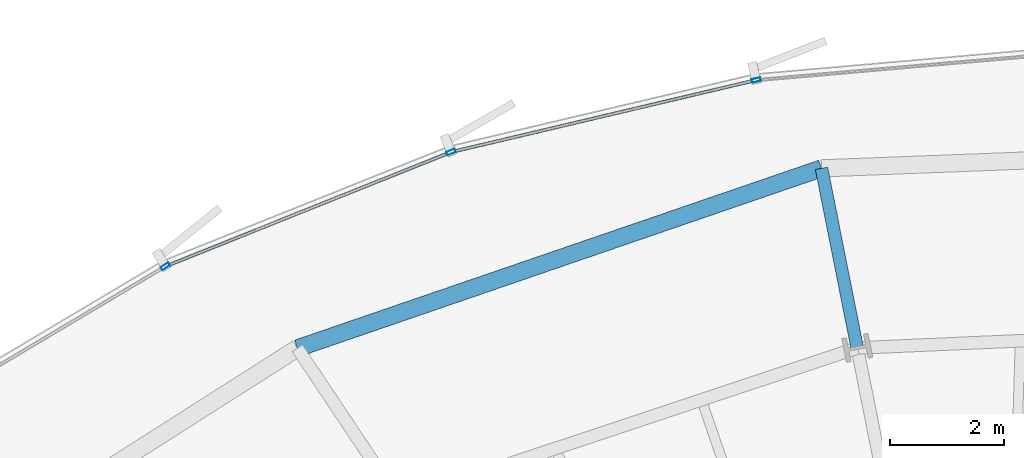
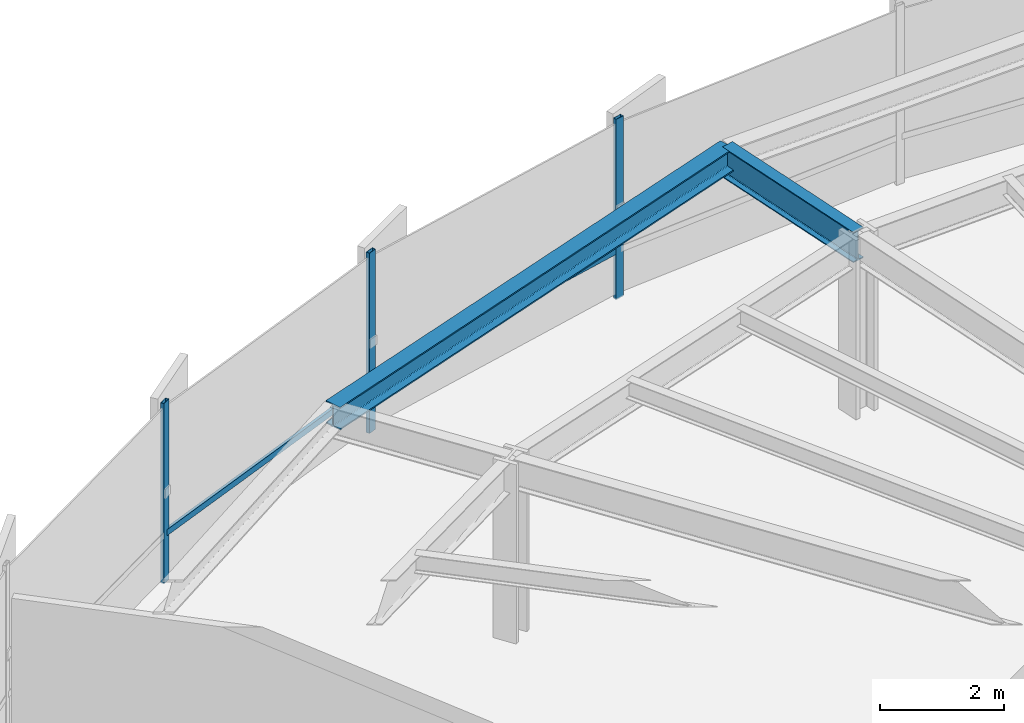
# One storey, part 23 of 39: 5 members, 2 beams, 1 element without a shape of its own.
"""IFC4 building model written with IfcOpenShell, lengths in metres."""

from ifc_helpers import new_model, si_unit, direction, frame, origin, origin_2d, place, context, subcontext, project, spatial, hollow_rectangle, i_section, extrude, source, transform, mapped, material, layer, layer_set, material_profile, profile_set, type_object, element, aggregate, save


model = new_model("IFC4")

# Units and contexts
model_context = context("Model", 3, precision=1e-05, world=origin(), true_north=direction((0.0, 1.0)))
body_context = subcontext(model_context, "Body", "Model", "MODEL_VIEW")
ifc_project = project(units=[si_unit("LENGTHUNIT", "METRE"), si_unit("AREAUNIT", "SQUARE_METRE"), si_unit("VOLUMEUNIT", "CUBIC_METRE"), si_unit("PLANEANGLEUNIT", "RADIAN"), si_unit("MASSUNIT", "GRAM", prefix="KILO"), si_unit("THERMODYNAMICTEMPERATUREUNIT", "KELVIN")], contexts=[model_context])

# Site, building, storey
site_placement = place(None, origin())
site = spatial("IfcSite", under=ifc_project, at=site_placement, CompositionType="ELEMENT")
building_placement = place(site_placement, origin())
building = spatial("IfcBuilding", under=site, at=building_placement, Name="Kethvar Cultural Tower", CompositionType="ELEMENT")
storey_placement = place(building_placement, frame((0.0, 0.0, 33.39990234375)))
storey = spatial("IfcBuildingStorey", under=building, at=storey_placement, Name="L07", CompositionType="ELEMENT", Elevation=33.39990234375)

# Beams
ifc_material_1 = material(Name="Steel S355J2", Category="steel")
ifc_material_profile_1 = material_profile(ifc_material_1, i_section(OverallWidth=0.219970703125, OverallDepth=0.60009765625, WebThickness=0.011962890625, FlangeThickness=0.01904296875, FilletRadius=0.02392578125, at=origin_2d()), Name="Steel S355J2 — IPE600")
ifc_profile_set_1 = profile_set([ifc_material_profile_1], Name="Steel S355J2 — IPE600")
beam_type_1 = type_object("IfcBeamType", Name="BM-IPE600", PredefinedType="BEAM", material=ifc_profile_set_1)
shared_shape_1 = source(origin(), body_context, "Body", "SweptSolid", [
    extrude(i_section(OverallWidth=0.219970703125, OverallDepth=0.60009765625, WebThickness=0.011962890625, FlangeThickness=0.01904296875, FilletRadius=0.02392578125, at=origin_2d()), origin(), (0.0, 0.0, 1.0), 3.199951171875),
])
beam_1_placement = place(storey_placement, frame((42.651611328125, 48.65576171875, 3.248046875), z_axis=(-0.195162356126, 0.980770949178, 0.0), x_axis=(-0.980770949178, -0.195162356126, 0.0)))
element("IfcBeam", 1, at=beam_1_placement, inside=storey, type_object=beam_type_1, Name="L07 Perimeter Cantilever Beam RC-05", PredefinedType="BEAM", context=body_context, shape_type="MappedRepresentation", body=[
    mapped(shared_shape_1, transform((0.0, 0.0, 0.0), scale=1.0)),
])
ifc_material_profile_2 = material_profile(ifc_material_1, i_section(OverallWidth=0.300048828125, OverallDepth=0.449951171875, WebThickness=0.013916015625, FlangeThickness=0.02587890625, FilletRadius=0.027099609375, at=origin_2d()), Name="Steel S355J2 — HEB450")
ifc_profile_set_2 = profile_set([ifc_material_profile_2], Name="Steel S355J2 — HEB450")
beam_type_2 = type_object("IfcBeamType", Name="BM-SP450", PredefinedType="SPANDREL", material=ifc_profile_set_2)
shared_shape_2 = source(origin(), body_context, "Body", "SweptSolid", [
    extrude(i_section(OverallWidth=0.300048828125, OverallDepth=0.449951171875, WebThickness=0.013916015625, FlangeThickness=0.02587890625, FilletRadius=0.027099609375, at=origin_2d()), origin(), (0.0, 0.0, 1.0), 9.683349609375),
])
beam_2_placement = place(storey_placement, frame((42.027099609375, 51.794189453125, 3.322998046875), z_axis=(-0.945832074112, -0.324656260652, 0.0), x_axis=(0.324656260652, -0.945832074112, 0.0)))
element("IfcBeam", 2, at=beam_2_placement, inside=storey, type_object=beam_type_2, Name="L07 Perimeter Spandrel Beam SP-05", PredefinedType="SPANDREL", context=body_context, shape_type="MappedRepresentation", body=[
    mapped(shared_shape_2, transform((0.0, 0.0, 0.0), scale=1.0)),
])

# Curtain wall, members
ifc_material_2 = material(Name="Aluminium 6063-T6", Category="aluminium")
ifc_layer = layer(ifc_material_2, 0.179931640625, Name="Aluminium 6063-T6", Category="aluminium")
ifc_layer_set = layer_set([ifc_layer], Name="Aluminium 6063-T6 (180 mm)")
curtain_wall_type = type_object("IfcCurtainWallType", Name="CW-SYS-02-Z1", PredefinedType="NOTDEFINED", material=ifc_layer_set)
curtain_wall_placement = place(storey_placement, origin())
curtain_wall = element("IfcCurtainWall", 3, at=curtain_wall_placement, inside=storey, type_object=curtain_wall_type, Name="L07 Curtain Wall Run 03", PredefinedType="NOTDEFINED")
ifc_material_profile_3 = material_profile(ifc_material_2, hollow_rectangle(XDim=0.06494140625, YDim=0.159912109375, WallThickness=0.0048828125, at=origin_2d()), Name="Aluminium 6063-T6 — RHS160x65x5")
ifc_profile_set_3 = profile_set([ifc_material_profile_3], Name="Aluminium 6063-T6 — RHS160x65x5")
member_type_1 = type_object("IfcMemberType", Name="CW-SYS-02-Z1-MUL", PredefinedType="MULLION", material=ifc_profile_set_3)
shared_shape_3 = source(origin(), body_context, "Body", "SweptSolid", [
    extrude(hollow_rectangle(XDim=0.06494140625, YDim=0.159912109375, WallThickness=0.0048828125, at=origin_2d()), origin(), (0.0, 0.0, 1.0), 3.550048828125),
])
member_1_placement = place(storey_placement, frame((40.88671875, 53.337158203125, 0.0), z_axis=(0.0, 0.0, 1.0), x_axis=(0.229845910038, -0.973227032937, 0.0)))
member_1 = element("IfcMember", 4, at=member_1_placement, type_object=member_type_1, Name="CW-L07-R03 Mullion 3", PredefinedType="MULLION", context=body_context, shape_type="MappedRepresentation", body=[
    mapped(shared_shape_3, transform((0.0, 0.0, 0.0), scale=1.0)),
])
member_2_placement = place(storey_placement, frame((35.5537109375, 52.0791015625, 0.0), z_axis=(0.0, 0.0, 1.0), x_axis=(0.371708118428, -0.928349651099, 0.0)))
member_2 = element("IfcMember", 5, at=member_2_placement, type_object=member_type_1, Name="CW-L07-R03 Mullion 4", PredefinedType="MULLION", context=body_context, shape_type="MappedRepresentation", body=[
    mapped(shared_shape_3, transform((0.0, 0.0, 0.0), scale=1.0)),
])
member_3_placement = place(storey_placement, frame((30.563720703125, 50.08251953125, 0.0), z_axis=(0.0, 0.0, 1.0), x_axis=(0.511383080102, -0.859352864303, 0.0)))
member_3 = element("IfcMember", 6, at=member_3_placement, type_object=member_type_1, Name="CW-L07-R03 Mullion 5", PredefinedType="MULLION", context=body_context, shape_type="MappedRepresentation", body=[
    mapped(shared_shape_3, transform((0.0, 0.0, 0.0), scale=1.0)),
])
ifc_material_profile_4 = material_profile(ifc_material_2, hollow_rectangle(XDim=0.054931640625, YDim=0.1201171875, WallThickness=0.00390625, at=origin_2d()), Name="Aluminium 6063-T6 — RHS120x55x4")
ifc_profile_set_4 = profile_set([ifc_material_profile_4], Name="Aluminium 6063-T6 — RHS120x55x4")
member_type_2 = type_object("IfcMemberType", Name="CW-SYS-02-Z1-TRN", PredefinedType="USERDEFINED", material=ifc_profile_set_4)
shared_shape_4 = source(origin(), body_context, "Body", "SweptSolid", [
    extrude(hollow_rectangle(XDim=0.054931640625, YDim=0.1201171875, WallThickness=0.00390625, at=origin_2d()), origin(), (0.0, 0.0, 1.0), 5.403564453125),
])
member_4_placement = place(storey_placement, frame((40.841064453125, 53.326416015625, 0.9501953125), z_axis=(-0.973227811656, -0.229842612716, 0.0), x_axis=(0.229842612716, -0.973227811656, 0.0)))
member_4 = element("IfcMember", 7, at=member_4_placement, type_object=member_type_2, Name="CW-L07-R03 Transom 3", ObjectType="TRANSOM", PredefinedType="USERDEFINED", context=body_context, shape_type="MappedRepresentation", body=[
    mapped(shared_shape_4, transform((0.0, 0.0, 0.0), scale=1.0)),
])
shared_shape_5 = source(origin(), body_context, "Body", "SweptSolid", [
    extrude(hollow_rectangle(XDim=0.054931640625, YDim=0.1201171875, WallThickness=0.00390625, at=origin_2d()), origin(), (0.0, 0.0, 1.0), 5.299560546875),
])
member_5_placement = place(storey_placement, frame((35.51025390625, 52.0615234375, 0.9501953125), z_axis=(-0.928362271139, -0.371676598033, 0.0), x_axis=(0.371676598033, -0.928362271139, 0.0)))
member_5 = element("IfcMember", 8, at=member_5_placement, type_object=member_type_2, Name="CW-L07-R03 Transom 4", ObjectType="TRANSOM", PredefinedType="USERDEFINED", context=body_context, shape_type="MappedRepresentation", body=[
    mapped(shared_shape_5, transform((0.0, 0.0, 0.0), scale=1.0)),
])
aggregate(curtain_wall, [member_1, member_2, member_3, member_4, member_5])

save(model, "model.ifc")
